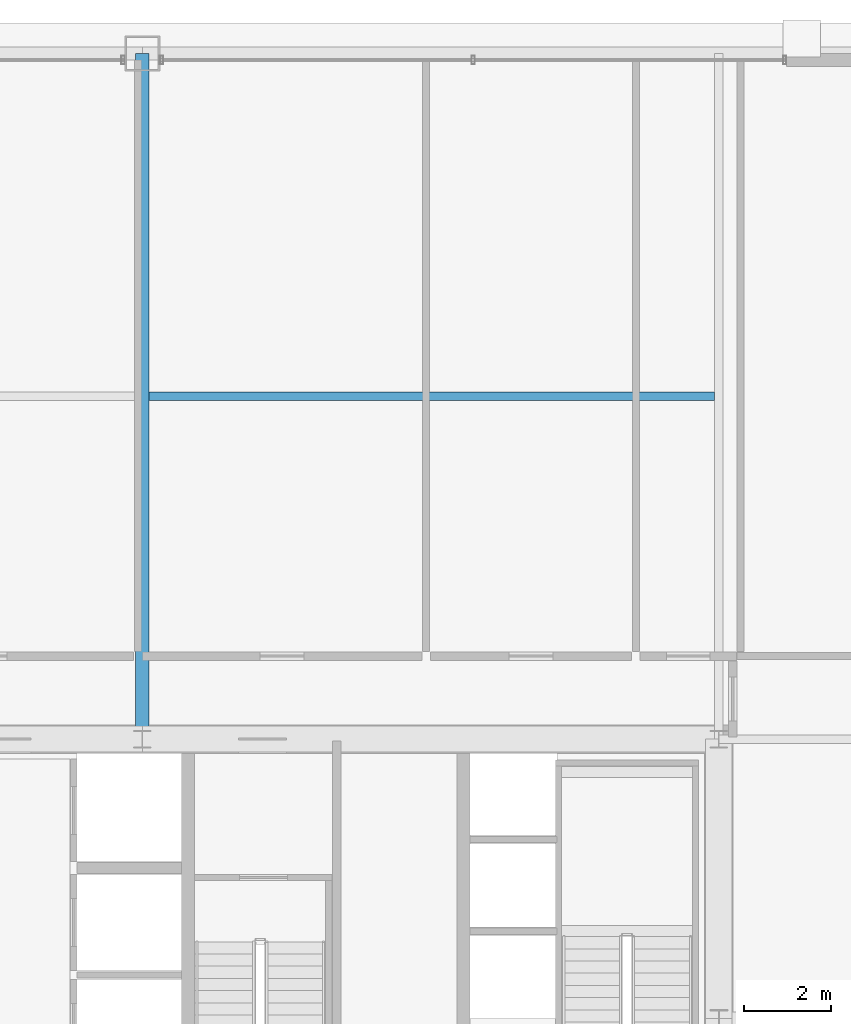
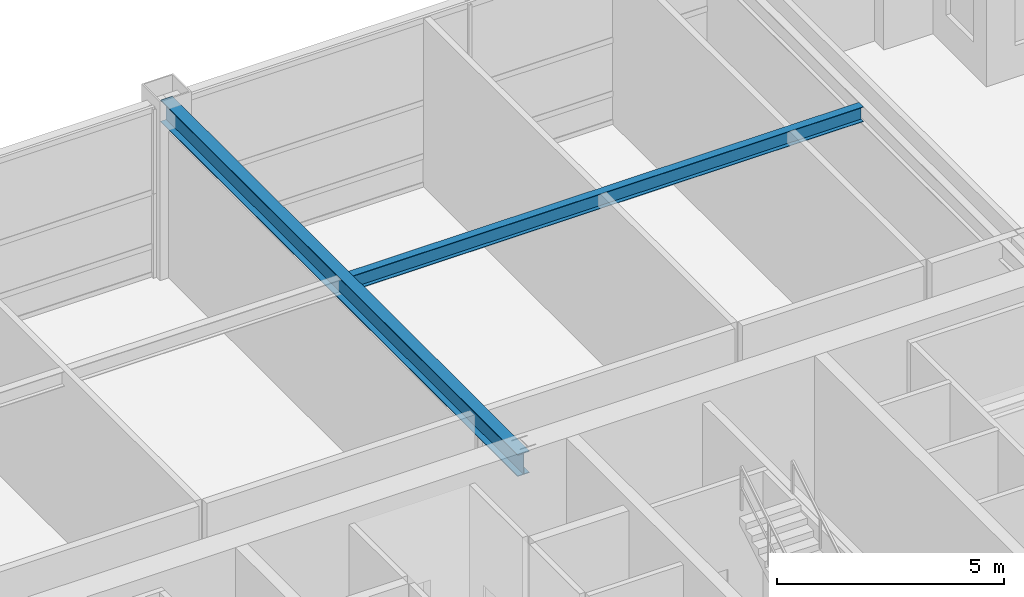
# One storey, part 26 of 34: 2 beams.
"""IFC4 building model written with IfcOpenShell, lengths in metres."""

import ifcopenshell
import ifcopenshell.guid

model = None  # the IFC model being written
_history = None  # IfcOwnerHistory: only IFC2X3 demands one
_inside = {}  # id of a spatial element -> (the spatial element, [elements in it])
_under = {}  # id of a project, library or spatial element -> (it, [spatial elements below it])
_declared = {}  # id of a project -> (the project, [libraries it declares])
_typed = {}  # id of a type object -> (the type object, [elements of that type])
_made_of = {}  # id of a material, layer set ... -> (it, [elements and type objects made of it])


def new_model(schema):
    """Start an empty IFC model of exactly this schema.

    Asked for "IFC4X3", IfcOpenShell would pick the latest addendum, in which some entities
    have other attributes; the version numbers below select the first issue.
    IFC2X3 requires an IfcOwnerHistory on every rooted entity: one is made here for all.
    """
    global model, _history
    if schema == "IFC4X3":
        model = ifcopenshell.file(schema_version=(4, 3, 0, 0))
    else:
        model = ifcopenshell.file(schema=schema)
    _inside.clear()
    _under.clear()
    _declared.clear()
    _typed.clear()
    _made_of.clear()
    _history = None
    if model.schema == "IFC2X3":
        org = make("IfcOrganization", Name="unknown")
        user = make(
            "IfcPersonAndOrganization",
            ThePerson=make("IfcPerson", FamilyName="unknown"),
            TheOrganization=org,
        )
        app = make(
            "IfcApplication",
            ApplicationDeveloper=org,
            Version="unknown",
            ApplicationFullName="unknown",
            ApplicationIdentifier="unknown",
        )
        _history = make(
            "IfcOwnerHistory",
            OwningUser=user,
            OwningApplication=app,
            ChangeAction="ADDED",
            CreationDate=0,
        )
    return model


def make(cls, **values):
    """One entity of the class cls with the attributes given. An attribute that is None is left unset."""
    return model.create_entity(
        cls, **{name: value for name, value in values.items() if value is not None}
    )


def rooted(cls, **values):
    """An entity with a GlobalId (a new one), such as an element, a storey or a relation."""
    return make(cls, GlobalId=ifcopenshell.guid.new(), OwnerHistory=_history, **values)


def si_unit(unit_type, name, prefix=None):
    """IfcSIUnit, for example si_unit("LENGTHUNIT", "METRE", prefix="MILLI")."""
    return make("IfcSIUnit", UnitType=unit_type, Prefix=prefix, Name=name)


def assignment(units):
    """IfcUnitAssignment: the units of a project."""
    return None if units is None else make("IfcUnitAssignment", Units=units)


def point(xyz):
    """IfcCartesianPoint."""
    return None if xyz is None else make("IfcCartesianPoint", Coordinates=xyz)


def direction(xyz):
    """IfcDirection."""
    return None if xyz is None else make("IfcDirection", DirectionRatios=xyz)


def frame(location, z_axis=None, x_axis=None):
    """IfcAxis2Placement3D, a coordinate frame: its origin and axes. An axis left out is left unset."""
    return make(
        "IfcAxis2Placement3D",
        Location=point(location),
        Axis=direction(z_axis),
        RefDirection=direction(x_axis),
    )


def frame_2d(location, x_axis=None):
    """IfcAxis2Placement2D, a coordinate frame in the plane: its origin and x axis."""
    return make(
        "IfcAxis2Placement2D", Location=point(location), RefDirection=direction(x_axis)
    )


def origin():
    """The frame at (0, 0, 0) with its axes left unset."""
    return frame((0.0, 0.0, 0.0))


def origin_2d():
    """The frame at (0, 0) in the plane with its x axis left unset."""
    return frame_2d((0.0, 0.0))


def place(relative_to, where):
    """IfcLocalPlacement: puts the frame where relative to a parent placement (None: the world)."""
    return make(
        "IfcLocalPlacement", PlacementRelTo=relative_to, RelativePlacement=where
    )


def context(
    kind, dimensions, precision=None, world=None, true_north=None, identifier=None
):
    """IfcGeometricRepresentationContext, for example the 3D "Model" context."""
    return make(
        "IfcGeometricRepresentationContext",
        ContextIdentifier=identifier,
        ContextType=kind,
        CoordinateSpaceDimension=dimensions,
        Precision=precision,
        WorldCoordinateSystem=world,
        TrueNorth=true_north,
    )


def subcontext(parent, identifier, kind, view, scale=None):
    """IfcGeometricRepresentationSubContext, for example "Body" below "Model"."""
    return make(
        "IfcGeometricRepresentationSubContext",
        ContextIdentifier=identifier,
        ContextType=kind,
        ParentContext=parent,
        TargetScale=scale,
        TargetView=view,
    )


def project(units=None, contexts=None):
    """IfcProject with its units and contexts."""
    return rooted(
        "IfcProject",
        Name="project",
        RepresentationContexts=contexts,
        UnitsInContext=assignment(units),
    )


def spatial(cls, under=None, at=None, **own):
    """A site, building, storey or space (cls), placed at a placement, below another one or the project."""
    s = rooted(cls, ObjectPlacement=at, **own)
    if under is not None:
        _under.setdefault(under.id(), (under, []))[1].append(s)
    return s


def profile(cls, at=None, kind="AREA", **sizes):
    """A parametric profile (cls). Its sizes go by their IFC names, for example OverallWidth=200.0."""
    return make(cls, ProfileType=kind, Position=at, **sizes)


def i_section(**sizes):
    """IfcIShapeProfileDef."""
    return profile("IfcIShapeProfileDef", **sizes)


def extrude(swept, where, along, depth):
    """IfcExtrudedAreaSolid: the profile swept, set in the frame where, extruded along a direction by depth."""
    return make(
        "IfcExtrudedAreaSolid",
        SweptArea=swept,
        Position=where,
        ExtrudedDirection=direction(along),
        Depth=depth,
    )


def shape(context_of_items, identifier, shape_type, items):
    """IfcShapeRepresentation: the items that make up one representation, for example the "Body"."""
    return make(
        "IfcShapeRepresentation",
        ContextOfItems=context_of_items,
        RepresentationIdentifier=identifier,
        RepresentationType=shape_type,
        Items=items,
    )


def source(mapping_origin, context_of_items, identifier, shape_type, items):
    """IfcRepresentationMap: a shape defined once, which mapped items show again and again."""
    return make(
        "IfcRepresentationMap",
        MappingOrigin=mapping_origin,
        MappedRepresentation=shape(context_of_items, identifier, shape_type, items),
    )


def transform(
    local_origin,
    x_axis=None,
    y_axis=None,
    z_axis=None,
    scale=None,
    scale2=None,
    scale3=None,
    uniform=True,
):
    """IfcCartesianTransformationOperator3D, or its non-uniform kind. x_axis, y_axis, z_axis: its Axis1, 2, 3."""
    if uniform:
        return make(
            "IfcCartesianTransformationOperator3D",
            Axis1=direction(x_axis),
            Axis2=direction(y_axis),
            LocalOrigin=point(local_origin),
            Scale=scale,
            Axis3=direction(z_axis),
        )
    return make(
        "IfcCartesianTransformationOperator3DnonUniform",
        Axis1=direction(x_axis),
        Axis2=direction(y_axis),
        LocalOrigin=point(local_origin),
        Scale=scale,
        Axis3=direction(z_axis),
        Scale2=scale2,
        Scale3=scale3,
    )


def mapped(mapping_source, mapping_target):
    """IfcMappedItem: shows the shape of a source again, moved by a transform."""
    return make(
        "IfcMappedItem", MappingSource=mapping_source, MappingTarget=mapping_target
    )


def material(Name=None, Category=None):
    """IfcMaterial."""
    return make("IfcMaterial", Name=Name, Category=Category)


def material_profile(
    of_material, cross_section, Name=None, Category=None, Priority=None
):
    """IfcMaterialProfile: a cross section and its material."""
    return make(
        "IfcMaterialProfile",
        Name=Name,
        Material=of_material,
        Profile=cross_section,
        Priority=Priority,
        Category=Category,
    )


def profile_set(profiles, Name=None, composite=None):
    """IfcMaterialProfileSet."""
    return make(
        "IfcMaterialProfileSet",
        Name=Name,
        MaterialProfiles=profiles,
        CompositeProfile=composite,
    )


def made_of(thing, what):
    """Note that an element or type object is made of a material, layer set ...; save() writes the relation."""
    if what is not None:
        _made_of.setdefault(what.id(), (what, []))[1].append(thing)
    return thing


def type_object(cls, material=None, **own):
    """A type object (cls), such as IfcWallType, which elements share."""
    return made_of(rooted(cls, **own), material)


def element(
    cls,
    number,
    at=None,
    inside=None,
    cuts=None,
    type_object=None,
    material=None,
    context=None,
    identifier="Body",
    shape_type=None,
    held_by="IfcProductDefinitionShape",
    body=None,
    shapes=None,
    **own,
):
    """One element of the class cls, such as IfcWall. Its Tag is "e" and its number.

    at: its placement. inside: the storey or other place that contains it. cuts: it is an
    opening in that element (IfcRelVoidsElement). A single representation is given by context,
    identifier, shape_type and body (its items); several are given by shapes. held_by: the class
    of the entity that holds the representations. save() writes the other relations.
    """
    e = rooted(cls, Tag="e%d" % number, ObjectPlacement=at, **own)
    if body is not None:
        shapes = [shape(context, identifier, shape_type, body)]
    if shapes is not None:
        e.Representation = make(held_by, Representations=shapes)
    if inside is not None:
        _inside.setdefault(inside.id(), (inside, []))[1].append(e)
    if cuts is not None:
        rooted(
            "IfcRelVoidsElement", RelatingBuildingElement=cuts, RelatedOpeningElement=e
        )
    if type_object is not None:
        _typed.setdefault(type_object.id(), (type_object, []))[1].append(e)
    return made_of(e, material)


def aggregate(whole, parts):
    """IfcRelAggregates: a whole, such as a stair, and the parts it consists of."""
    return rooted("IfcRelAggregates", RelatingObject=whole, RelatedObjects=parts)


def save(model, path):
    """Write the relations noted so far, then the file.

    IfcRelAggregates (storeys below a building ...), IfcRelContainedInSpatialStructure (elements
    in a storey), IfcRelDefinesByType, IfcRelAssociatesMaterial and IfcRelDeclares: one each for
    every whole, place, type object, material and project.
    """
    for whole, parts in _under.values():
        aggregate(whole, parts)
    for where, things in _inside.values():
        rooted(
            "IfcRelContainedInSpatialStructure",
            RelatedElements=things,
            RelatingStructure=where,
        )
    for kind, things in _typed.values():
        rooted("IfcRelDefinesByType", RelatedObjects=things, RelatingType=kind)
    for what, things in _made_of.values():
        rooted("IfcRelAssociatesMaterial", RelatedObjects=things, RelatingMaterial=what)
    for by, libraries in _declared.values():
        rooted("IfcRelDeclares", RelatingContext=by, RelatedDefinitions=libraries)
    model.write(path)


model = new_model("IFC4")

# Units and contexts
model_context = context("Model", 3, precision=1e-05, world=origin(), true_north=direction((0.0, 1.0)))
body_context = subcontext(model_context, "Body", "Model", "MODEL_VIEW")
ifc_project = project(units=[si_unit("LENGTHUNIT", "METRE"), si_unit("AREAUNIT", "SQUARE_METRE"), si_unit("VOLUMEUNIT", "CUBIC_METRE"), si_unit("PLANEANGLEUNIT", "RADIAN"), si_unit("MASSUNIT", "GRAM", prefix="KILO"), si_unit("THERMODYNAMICTEMPERATUREUNIT", "KELVIN"), si_unit("POWERUNIT", "WATT")], contexts=[model_context])

# Site, building, storey
site_placement = place(None, origin())
site = spatial("IfcSite", under=ifc_project, at=site_placement, CompositionType="ELEMENT")
building_placement = place(site_placement, origin())
building = spatial("IfcBuilding", under=site, at=building_placement, Name="Yuzanri Waterfront Tower", CompositionType="ELEMENT")
storey_placement = place(building_placement, frame((0.0, 0.0, 171.60009765625)))
storey = spatial("IfcBuildingStorey", under=building, at=storey_placement, Name="L45", CompositionType="ELEMENT", Elevation=171.60009765625)

# Beams
ifc_material_1 = material(Name="Steel Q355B", Category="steel")
ifc_material_profile_1 = material_profile(ifc_material_1, i_section(OverallWidth=0.199951171875, OverallDepth=0.39990234375, WebThickness=0.008056640625, FlangeThickness=0.012939453125, at=origin_2d()), Name="HN 400x200x8x13")
ifc_profile_set_1 = profile_set([ifc_material_profile_1], Name="Steel Q355B")
beam_type_1 = type_object("IfcBeamType", Name="Floor Joist Q355B HN 400x200", PredefinedType="JOIST", material=ifc_profile_set_1)
shared_shape_1 = source(origin(), body_context, "Body", "SweptSolid", [
    extrude(i_section(OverallWidth=0.199951171875, OverallDepth=0.39990234375, WebThickness=0.008056640625, FlangeThickness=0.012939453125, at=origin_2d()), origin(), (0.0, 0.0, 1.0), 12.9501953125),
])
beam_1_placement = place(storey_placement, frame((37.14990234375, 40.050048828125, 4.31982421875), z_axis=(1.0, 0.0, 0.0), x_axis=(0.0, 1.0, 0.0)))
element("IfcBeam", 1, at=beam_1_placement, inside=storey, type_object=beam_type_1, Name="L45 North Bay Joist E", PredefinedType="JOIST", context=body_context, shape_type="MappedRepresentation", body=[
    mapped(shared_shape_1, transform((0.0, 0.0, 0.0), scale=1.0)),
])
ifc_material_2 = material(Name="Steel Q355B", Category="steel")
ifc_material_profile_2 = material_profile(ifc_material_2, i_section(OverallWidth=0.300048828125, OverallDepth=0.587890625, WebThickness=0.011962890625, FlangeThickness=0.02001953125, at=origin_2d()), Name="HM 588x300x12x20")
ifc_profile_set_2 = profile_set([ifc_material_profile_2], Name="Steel Q355B")
beam_type_2 = type_object("IfcBeamType", Name="Primary Floor Girder Q355B HM 588x300", PredefinedType="BEAM", material=ifc_profile_set_2)
shared_shape_2 = source(origin(), body_context, "Body", "SweptSolid", [
    extrude(i_section(OverallWidth=0.300048828125, OverallDepth=0.587890625, WebThickness=0.011962890625, FlangeThickness=0.02001953125, at=origin_2d()), origin(), (0.0, 0.0, 1.0), 15.699951171875),
])
beam_2_placement = place(storey_placement, frame((37.0, 32.199951171875, 4.225830078125), z_axis=(0.0, 1.0, 0.0), x_axis=(-1.0, 0.0, 0.0)))
element("IfcBeam", 2, at=beam_2_placement, inside=storey, type_object=beam_type_2, Name="L45 North Grid Girder", PredefinedType="BEAM", context=body_context, shape_type="MappedRepresentation", body=[
    mapped(shared_shape_2, transform((0.0, 0.0, 0.0), scale=1.0)),
])

save(model, "model.ifc")
